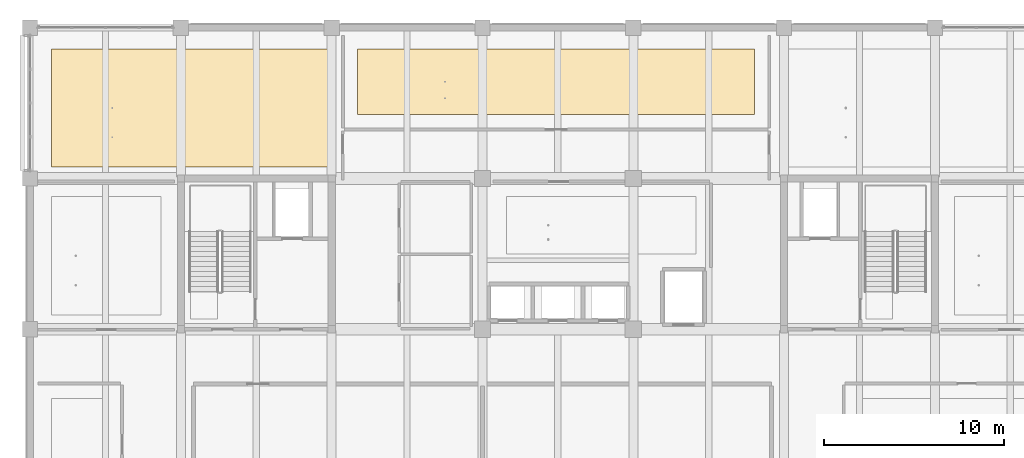
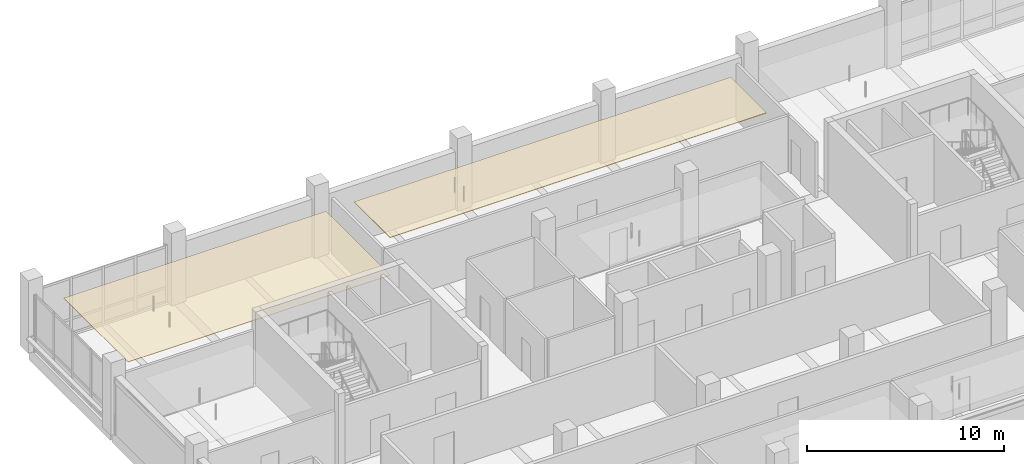
# One storey, part 27 of 36: 2 coverings.
"""IFC4 building model written with IfcOpenShell, lengths in metres."""

from ifc_helpers import new_model, si_unit, direction, frame, origin, place, context, subcontext, project, spatial, polyline, outline, extrude, material, layer, layer_set, type_object, element, save


model = new_model("IFC4")

# Units and contexts
model_context = context("Model", 3, precision=1e-05, world=origin(), true_north=direction((0.0, 1.0)))
body_context = subcontext(model_context, "Body", "Model", "MODEL_VIEW")
ifc_project = project(units=[si_unit("LENGTHUNIT", "METRE"), si_unit("AREAUNIT", "SQUARE_METRE"), si_unit("VOLUMEUNIT", "CUBIC_METRE"), si_unit("PLANEANGLEUNIT", "RADIAN"), si_unit("MASSUNIT", "GRAM", prefix="KILO")], contexts=[model_context])

# Site, building, storey
site_placement = place(None, origin())
site = spatial("IfcSite", under=ifc_project, at=site_placement, CompositionType="ELEMENT")
building_placement = place(site_placement, origin())
building = spatial("IfcBuilding", under=site, at=building_placement, Name="Telukmera Botanical Conservatory", CompositionType="ELEMENT")
storey_placement = place(building_placement, frame((0.0, 0.0, 24.0)))
storey = spatial("IfcBuildingStorey", under=building, at=storey_placement, Name="L05", CompositionType="ELEMENT", Elevation=24.0)

# Coverings
ifc_material_1 = material(Name="Mineral fibre acoustic ceiling")
ifc_layer_1 = layer(ifc_material_1, 0.030029296875)
ifc_layer_set_1 = layer_set([ifc_layer_1], Name="Mineral fibre acoustic ceiling")
covering_type_1 = type_object("IfcCoveringType", Name="COV-CEIL-30", PredefinedType="CEILING", material=ifc_layer_set_1)
covering_1_placement = place(storey_placement, frame((0.0, 0.0, 3.320068359375)))
element("IfcCovering", 1, at=covering_1_placement, inside=storey, type_object=covering_type_1, Name="L05 Flora Malesiana Research Studio Suspended Acoustic Ceiling", PredefinedType="CEILING", context=body_context, shape_type="SweptSolid", body=[
    extrude(outline(polyline([(51.60009765625, 35.050048828125), (67.0, 35.050048828125), (67.0, 41.60009765625), (51.60009765625, 41.60009765625), (51.60009765625, 35.050048828125)])), origin(), (0.0, 0.0, 1.0), 0.030029296875),
])
ifc_material_2 = material(Name="Perforated gypsum acoustic ceiling")
ifc_layer_2 = layer(ifc_material_2, 0.0400390625)
ifc_layer_set_2 = layer_set([ifc_layer_2], Name="Perforated gypsum acoustic ceiling")
covering_type_2 = type_object("IfcCoveringType", Name="COV-CEIL-40", PredefinedType="CEILING", material=ifc_layer_set_2)
covering_2_placement = place(storey_placement, frame((0.0, 0.0, 3.31005859375)))
element("IfcCovering", 2, at=covering_2_placement, inside=storey, type_object=covering_type_2, Name="L05 Quantitative Taxonomy Laboratory Suspended Acoustic Ceiling", PredefinedType="CEILING", context=body_context, shape_type="SweptSolid", body=[
    extrude(outline(polyline([(68.64990234375, 37.949951171875), (90.75, 37.949951171875), (90.75, 41.60009765625), (68.64990234375, 41.60009765625), (68.64990234375, 37.949951171875)])), origin(), (0.0, 0.0, 1.0), 0.0400390625),
])

save(model, "model.ifc")
